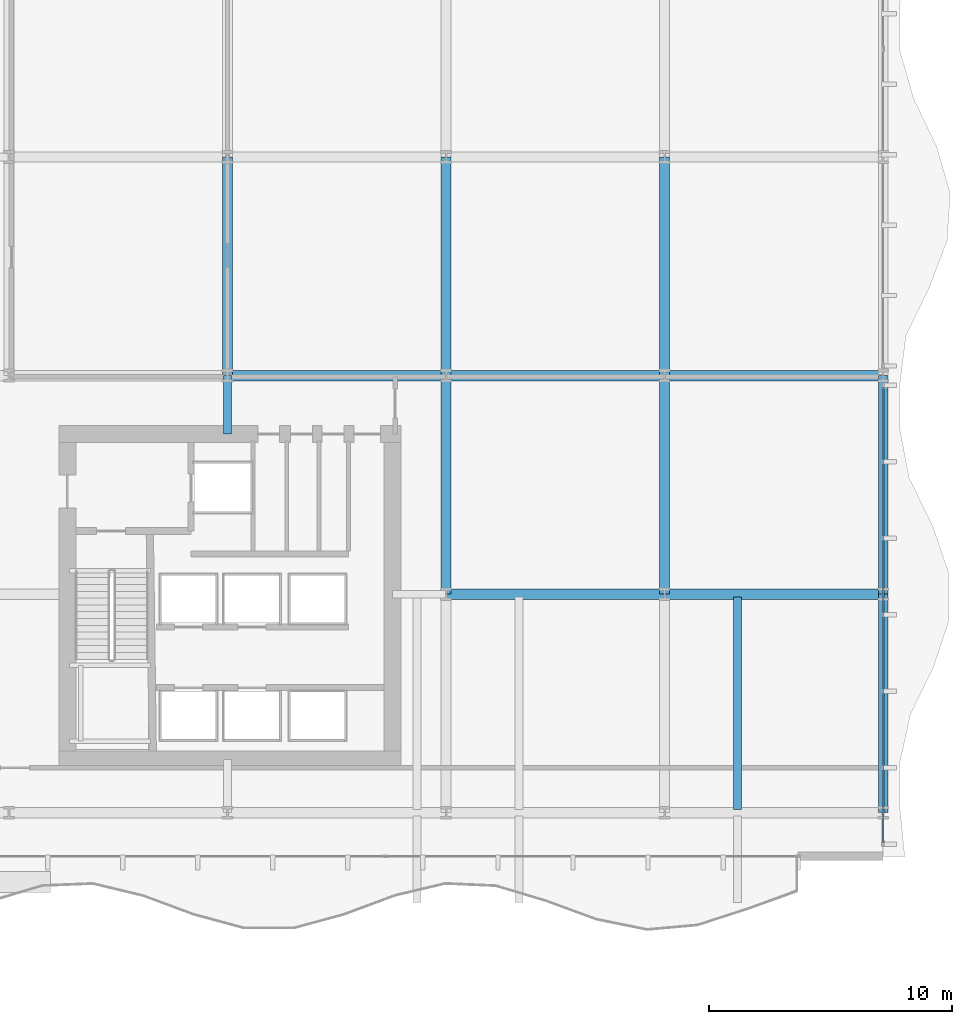
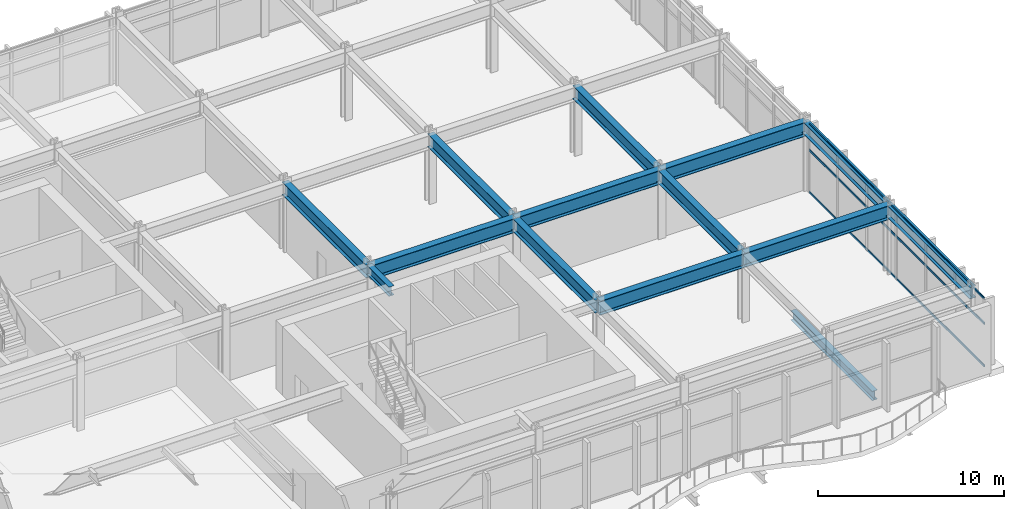
# One storey, part 10 of 29: 14 beams, 3 members, 1 element without a shape of its own.
"""IFC4 building model written with IfcOpenShell, lengths in metres."""

from ifc_helpers import new_model, si_unit, direction, frame, origin, origin_2d, place, context, subcontext, project, spatial, hollow_rectangle, i_section, extrude, material, layer, layer_set, material_profile, profile_set, type_object, element, aggregate, save


model = new_model("IFC4")

# Units and contexts
model_context = context("Model", 3, precision=1e-05, world=origin(), true_north=direction((0.0, 1.0)))
body_context = subcontext(model_context, "Body", "Model", "MODEL_VIEW")
ifc_project = project(units=[si_unit("LENGTHUNIT", "METRE"), si_unit("AREAUNIT", "SQUARE_METRE"), si_unit("VOLUMEUNIT", "CUBIC_METRE"), si_unit("PLANEANGLEUNIT", "RADIAN"), si_unit("MASSUNIT", "GRAM", prefix="KILO")], contexts=[model_context])

# Site, building, storey
site_placement = place(None, origin())
site = spatial("IfcSite", under=ifc_project, at=site_placement, CompositionType="ELEMENT")
building_placement = place(site_placement, origin())
building = spatial("IfcBuilding", under=site, at=building_placement, Name="Solvaryn Broadcast Tower", CompositionType="ELEMENT")
storey_placement = place(building_placement, frame((0.0, 0.0, 21.199951171875)))
storey = spatial("IfcBuildingStorey", under=building, at=storey_placement, Name="L04", CompositionType="ELEMENT", Elevation=21.199951171875)

# Beams
ifc_material_1 = material(Name="Steel ASTM A992 Grade 50", Category="steel")
ifc_material_profile_1 = material_profile(ifc_material_1, i_section(OverallWidth=0.323974609375, OverallDepth=0.611083984375, WebThickness=0.0126953125, FlangeThickness=0.01904296875, FilletRadius=0.014892578125, at=origin_2d()))
ifc_profile_set_1 = profile_set([ifc_material_profile_1], Name="Steel ASTM A992 Grade 50")
beam_type_1 = type_object("IfcBeamType", Name="BM-B1-W24X104", PredefinedType="BEAM", material=ifc_profile_set_1)
beam_1_placement = place(storey_placement, frame((57.0, 17.875, -0.62548828125), z_axis=(0.0, -1.0, 0.0), x_axis=(1.0, 0.0, 0.0)))
element("IfcBeam", 1, at=beam_1_placement, inside=storey, type_object=beam_type_1, Name="L04 Terrace Back-Span Beam X57.0", PredefinedType="BEAM", context=body_context, shape_type="SweptSolid", body=[
    extrude(i_section(OverallWidth=0.323974609375, OverallDepth=0.611083984375, WebThickness=0.0126953125, FlangeThickness=0.01904296875, FilletRadius=0.014892578125, at=origin_2d()), origin(), (0.0, 0.0, 1.0), 8.75),
])
beam_2_placement = place(storey_placement, frame((36.0, 24.60009765625, 4.174560546875), z_axis=(0.0, 1.0, 0.0), x_axis=(-1.0, 0.0, 0.0)))
element("IfcBeam", 2, at=beam_2_placement, inside=storey, type_object=beam_type_1, Name="L04 Core Tie Beam CTE2", PredefinedType="BEAM", context=body_context, shape_type="SweptSolid", body=[
    extrude(i_section(OverallWidth=0.323974609375, OverallDepth=0.611083984375, WebThickness=0.0126953125, FlangeThickness=0.01904296875, FilletRadius=0.014892578125, at=origin_2d()), origin(), (0.0, 0.0, 1.0), 2.39990234375),
])
ifc_material_2 = material(Name="Steel ASTM A992 Grade 50", Category="steel")
ifc_material_profile_2 = material_profile(ifc_material_2, i_section(OverallWidth=0.41796875, OverallDepth=0.927001953125, WebThickness=0.019287109375, FlangeThickness=0.031982421875, FilletRadius=0.02392578125, at=origin_2d()))
ifc_profile_set_2 = profile_set([ifc_material_profile_2], Name="Steel ASTM A992 Grade 50")
beam_type_2 = type_object("IfcBeamType", Name="BM-G2-W36X231", PredefinedType="BEAM", material=ifc_profile_set_2)
for number, where, z_axis, x_axis, name in (
    (3, (45.0, 18.0, 4.0166015625), (1.0, 0.0, 0.0), (0.0, 1.0, 0.0), "L04 Primary Beam X (45-54 @ Y=18)"),
    (4, (54.0, 18.0, 4.0166015625), (1.0, 0.0, 0.0), (0.0, 1.0, 0.0), "L04 Primary Beam X (54-63 @ Y=18)"),
    (5, (36.0, 27.0, 4.0166015625), (1.0, 0.0, 0.0), (0.0, 1.0, 0.0), "L04 Primary Beam X (36-45 @ Y=27)"),
    (6, (45.0, 27.0, 4.0166015625), (1.0, 0.0, 0.0), (0.0, 1.0, 0.0), "L04 Primary Beam X (45-54 @ Y=27)"),
    (7, (54.0, 27.0, 4.0166015625), (1.0, 0.0, 0.0), (0.0, 1.0, 0.0), "L04 Primary Beam X (54-63 @ Y=27)"),
):
    element("IfcBeam", number, at=place(storey_placement, frame(where, z_axis=z_axis, x_axis=x_axis)), inside=storey, type_object=beam_type_2, Name=name, PredefinedType="BEAM", context=body_context, shape_type="SweptSolid", body=[
        extrude(i_section(OverallWidth=0.41796875, OverallDepth=0.927001953125, WebThickness=0.019287109375, FlangeThickness=0.031982421875, FilletRadius=0.02392578125, at=origin_2d()), origin(), (0.0, 0.0, 1.0), 9.0),
    ])
ifc_material_3 = material(Name="Steel ASTM A992 Grade 50", Category="steel")
ifc_material_profile_3 = material_profile(ifc_material_3, i_section(OverallWidth=0.39990234375, OverallDepth=0.85498046875, WebThickness=0.018310546875, FlangeThickness=0.029296875, FilletRadius=0.02001953125, at=origin_2d()))
ifc_profile_set_3 = profile_set([ifc_material_profile_3], Name="Steel ASTM A992 Grade 50")
beam_type_3 = type_object("IfcBeamType", Name="BM-G3-W33X201", PredefinedType="BEAM", material=ifc_profile_set_3)
for number, where, z_axis, x_axis, name in (
    (8, (36.0, 27.0, 4.052490234375), (0.0, 1.0, 0.0), (-1.0, 0.0, 0.0), "L04 Primary Beam Y (27-36 @ X=36)"),
    (9, (45.0, 18.0, 4.052490234375), (0.0, 1.0, 0.0), (-1.0, 0.0, 0.0), "L04 Primary Beam Y (18-27 @ X=45)"),
    (10, (45.0, 27.0, 4.052490234375), (0.0, 1.0, 0.0), (-1.0, 0.0, 0.0), "L04 Primary Beam Y (27-36 @ X=45)"),
    (11, (54.0, 18.0, 4.052490234375), (0.0, 1.0, 0.0), (-1.0, 0.0, 0.0), "L04 Primary Beam Y (18-27 @ X=54)"),
    (12, (54.0, 27.0, 4.052490234375), (0.0, 1.0, 0.0), (-1.0, 0.0, 0.0), "L04 Primary Beam Y (27-36 @ X=54)"),
):
    element("IfcBeam", number, at=place(storey_placement, frame(where, z_axis=z_axis, x_axis=x_axis)), inside=storey, type_object=beam_type_3, Name=name, PredefinedType="BEAM", context=body_context, shape_type="SweptSolid", body=[
        extrude(i_section(OverallWidth=0.39990234375, OverallDepth=0.85498046875, WebThickness=0.018310546875, FlangeThickness=0.029296875, FilletRadius=0.02001953125, at=origin_2d()), origin(), (0.0, 0.0, 1.0), 9.0),
    ])
ifc_material_4 = material(Name="Steel ASTM A992 Grade 50", Category="steel")
ifc_material_profile_4 = material_profile(ifc_material_4, i_section(OverallWidth=0.381103515625, OverallDepth=0.77294921875, WebThickness=0.0166015625, FlangeThickness=0.027099609375, FilletRadius=0.01806640625, at=origin_2d()))
ifc_profile_set_4 = profile_set([ifc_material_profile_4], Name="Steel ASTM A992 Grade 50")
beam_type_4 = type_object("IfcBeamType", Name="BM-SP1-W30X173", PredefinedType="USERDEFINED", material=ifc_profile_set_4)
for number, where, z_axis, x_axis, name in (
    (13, (63.0, 9.0, 4.093505859375), (0.0, 1.0, 0.0), (-1.0, 0.0, 0.0), "L04 Spandrel Beam Y (9-18 @ X=63)"),
    (14, (63.0, 18.0, 4.093505859375), (0.0, 1.0, 0.0), (-1.0, 0.0, 0.0), "L04 Spandrel Beam Y (18-27 @ X=63)"),
):
    element("IfcBeam", number, at=place(storey_placement, frame(where, z_axis=z_axis, x_axis=x_axis)), inside=storey, type_object=beam_type_4, Name=name, ObjectType="SPANDREL", PredefinedType="USERDEFINED", context=body_context, shape_type="SweptSolid", body=[
        extrude(i_section(OverallWidth=0.381103515625, OverallDepth=0.77294921875, WebThickness=0.0166015625, FlangeThickness=0.027099609375, FilletRadius=0.01806640625, at=origin_2d()), origin(), (0.0, 0.0, 1.0), 9.0),
    ])

# Curtain wall, members
ifc_material_5 = material(Name="Aluminium and Terracotta Unitised Curtain Wall", Category="masonry")
ifc_layer = layer(ifc_material_5, 0.219970703125)
ifc_layer_set = layer_set([ifc_layer], Name="CW-SYS1-PODIUM")
curtain_wall_type = type_object("IfcCurtainWallType", Name="CW-SYS1-PODIUM", PredefinedType="NOTDEFINED", material=ifc_layer_set)
curtain_wall_placement = place(storey_placement, origin())
curtain_wall = element("IfcCurtainWall", 15, at=curtain_wall_placement, inside=storey, type_object=curtain_wall_type, Name="L04 Podium Curtain Wall E2", PredefinedType="NOTDEFINED")
ifc_material_6 = material(Name="Anodised Aluminium 6063-T6", Category="aluminium")
ifc_material_profile_5 = material_profile(ifc_material_6, hollow_rectangle(XDim=0.06494140625, YDim=0.14990234375, WallThickness=0.00390625, InnerFilletRadius=0.00390625, OuterFilletRadius=0.008056640625, at=origin_2d()))
ifc_profile_set_5 = profile_set([ifc_material_profile_5], Name="Anodised Aluminium 6063-T6")
member_type = type_object("IfcMemberType", Name="CW-TRN-150", PredefinedType="USERDEFINED", material=ifc_profile_set_5)
member_1_placement = place(storey_placement, frame((63.0, 26.5400390625, 0.030029296875), z_axis=(0.0, -1.0, 0.0), x_axis=(1.0, 0.0, 0.0)))
member_1 = element("IfcMember", 16, at=member_1_placement, type_object=member_type, Name="CWS1 transom 1.1", ObjectType="TRANSOM", PredefinedType="USERDEFINED", context=body_context, shape_type="SweptSolid", body=[
    extrude(hollow_rectangle(XDim=0.06494140625, YDim=0.14990234375, WallThickness=0.00390625, InnerFilletRadius=0.00390625, OuterFilletRadius=0.008056640625, at=origin_2d()), origin(), (0.0, 0.0, 1.0), 18.780029296875),
])
member_2_placement = place(storey_placement, frame((63.0, 26.5400390625, 2.800048828125), z_axis=(0.0, -1.0, 0.0), x_axis=(1.0, 0.0, 0.0)))
member_2 = element("IfcMember", 17, at=member_2_placement, type_object=member_type, Name="CWS1 transom 1.2", ObjectType="TRANSOM", PredefinedType="USERDEFINED", context=body_context, shape_type="SweptSolid", body=[
    extrude(hollow_rectangle(XDim=0.06494140625, YDim=0.14990234375, WallThickness=0.00390625, InnerFilletRadius=0.00390625, OuterFilletRadius=0.008056640625, at=origin_2d()), origin(), (0.0, 0.0, 1.0), 18.780029296875),
])
member_3_placement = place(storey_placement, frame((63.0, 26.5400390625, 4.449951171875), z_axis=(0.0, -1.0, 0.0), x_axis=(1.0, 0.0, 0.0)))
member_3 = element("IfcMember", 18, at=member_3_placement, type_object=member_type, Name="CWS1 transom 1.3", ObjectType="TRANSOM", PredefinedType="USERDEFINED", context=body_context, shape_type="SweptSolid", body=[
    extrude(hollow_rectangle(XDim=0.06494140625, YDim=0.14990234375, WallThickness=0.00390625, InnerFilletRadius=0.00390625, OuterFilletRadius=0.008056640625, at=origin_2d()), origin(), (0.0, 0.0, 1.0), 18.780029296875),
])
aggregate(curtain_wall, [member_1, member_2, member_3])

save(model, "model.ifc")
